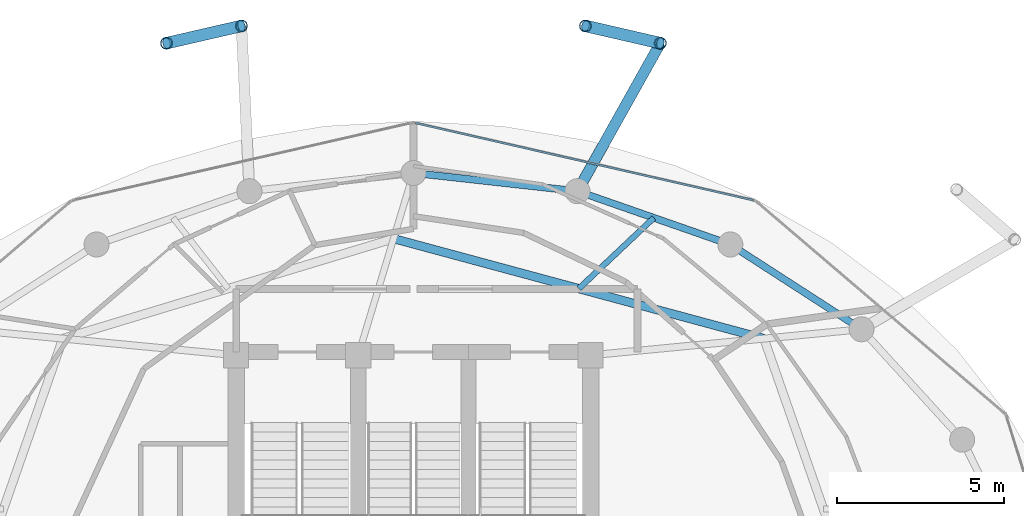
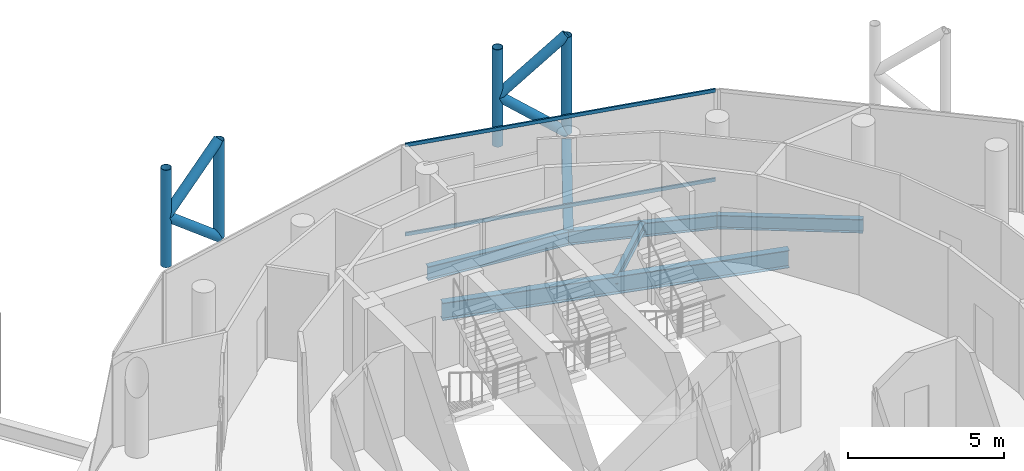
# One storey, part 17 of 24: 10 members, 6 beams, 1 element without a shape of its own.
"""IFC4 building model written with IfcOpenShell, lengths in metres."""

from ifc_helpers import new_model, si_unit, direction, frame, origin, origin_2d, place, context, subcontext, project, spatial, hollow_rectangle, hollow_circle, i_section, extrude, material, layer, layer_set, material_profile, profile_set, type_object, element, aggregate, save


model = new_model("IFC4")

# Units and contexts
model_context = context("Model", 3, precision=1e-05, world=origin(), true_north=direction((0.0, 1.0)))
body_context = subcontext(model_context, "Body", "Model", "MODEL_VIEW")
ifc_project = project(units=[si_unit("LENGTHUNIT", "METRE"), si_unit("AREAUNIT", "SQUARE_METRE"), si_unit("VOLUMEUNIT", "CUBIC_METRE"), si_unit("PLANEANGLEUNIT", "RADIAN"), si_unit("MASSUNIT", "GRAM", prefix="KILO")], contexts=[model_context])

# Site, building, storey
site_placement = place(None, origin())
site = spatial("IfcSite", under=ifc_project, at=site_placement, CompositionType="ELEMENT")
building_placement = place(site_placement, origin())
building = spatial("IfcBuilding", under=site, at=building_placement, Name="Nuhasar Tower", CompositionType="ELEMENT")
storey_placement = place(building_placement, frame((0.0, 0.0, 267.0)))
storey = spatial("IfcBuildingStorey", under=building, at=storey_placement, Name="L66", CompositionType="ELEMENT", Elevation=267.0)

# Beams
ifc_material_1 = material(Name="Steel S355", Category="steel")
ifc_material_profile_1 = material_profile(ifc_material_1, i_section(OverallWidth=0.25390625, OverallDepth=0.68408203125, WebThickness=0.012451171875, FlangeThickness=0.018798828125, at=origin_2d()), Name="W27X94")
ifc_profile_set_1 = profile_set([ifc_material_profile_1], Name="Steel S355")
beam_type_1 = type_object("IfcBeamType", Name="BM-INRING-W27X94", PredefinedType="BEAM", material=ifc_profile_set_1)
beam_1_placement = place(storey_placement, frame((49.48388671875, 37.798095703125, -0.60205078125), z_axis=(-0.965451835482, 0.260581567584, 0.0), x_axis=(-0.260581567584, -0.965451835482, 0.0)))
element("IfcBeam", 1, at=beam_1_placement, inside=storey, type_object=beam_type_1, Name="L66 Inner Header Beam 05", PredefinedType="BEAM", context=body_context, shape_type="SweptSolid", body=[
    extrude(i_section(OverallWidth=0.25390625, OverallDepth=0.68408203125, WebThickness=0.012451171875, FlangeThickness=0.018798828125, at=origin_2d()), origin(), (0.0, 0.0, 1.0), 11.474365234375),
])
ifc_material_profile_2 = material_profile(ifc_material_1, i_section(OverallWidth=0.1708984375, OverallDepth=0.35205078125, WebThickness=0.0068359375, FlangeThickness=0.009765625, at=origin_2d()), Name="W14X30")
ifc_profile_set_2 = profile_set([ifc_material_profile_2], Name="Steel S355")
beam_type_2 = type_object("IfcBeamType", Name="BM-JST-W14X30", PredefinedType="JOIST", material=ifc_profile_set_2)
beam_2_placement = place(storey_placement, frame((43.945068359375, 39.29296875, -0.43603515625), z_axis=(0.727532985224, 0.686072704173, 0.0), x_axis=(-0.686072704173, 0.727532985224, 0.0)))
element("IfcBeam", 2, at=beam_2_placement, inside=storey, type_object=beam_type_2, Name="L66 Secondary Floor Joist 05", PredefinedType="JOIST", context=body_context, shape_type="SweptSolid", body=[
    extrude(i_section(OverallWidth=0.1708984375, OverallDepth=0.35205078125, WebThickness=0.0068359375, FlangeThickness=0.009765625, at=origin_2d()), origin(), (0.0, 0.0, 1.0), 3.085693359375),
])
ifc_material_profile_3 = material_profile(ifc_material_1, i_section(OverallWidth=0.2099609375, OverallDepth=0.537109375, WebThickness=0.010986328125, FlangeThickness=0.017333984375, at=origin_2d()), Name="W21X68")
ifc_profile_set_3 = profile_set([ifc_material_profile_3], Name="Steel S355")
beam_type_3 = type_object("IfcBeamType", Name="BM-RING-W21X68", PredefinedType="SPANDREL", material=ifc_profile_set_3)
beam_3_placement = place(storey_placement, frame((52.39990234375, 38.077880859375, -0.529052734375), z_axis=(-0.840001671147, 0.54258381147, 0.0), x_axis=(-0.54258381147, -0.840001671147, 0.0)))
element("IfcBeam", 3, at=beam_3_placement, inside=storey, type_object=beam_type_3, Name="L66 Perimeter Ring Spandrel 04", PredefinedType="SPANDREL", context=body_context, shape_type="SweptSolid", body=[
    extrude(i_section(OverallWidth=0.2099609375, OverallDepth=0.537109375, WebThickness=0.010986328125, FlangeThickness=0.017333984375, at=origin_2d()), origin(), (0.0, 0.0, 1.0), 4.67236328125),
])
beam_4_placement = place(storey_placement, frame((48.47509765625, 40.613037109375, -0.529052734375), z_axis=(-0.944214043504, 0.329332415729, 0.0), x_axis=(-0.329332415729, -0.944214043504, 0.0)))
element("IfcBeam", 4, at=beam_4_placement, inside=storey, type_object=beam_type_3, Name="L66 Perimeter Ring Spandrel 05", PredefinedType="SPANDREL", context=body_context, shape_type="SweptSolid", body=[
    extrude(i_section(OverallWidth=0.2099609375, OverallDepth=0.537109375, WebThickness=0.010986328125, FlangeThickness=0.017333984375, at=origin_2d()), origin(), (0.0, 0.0, 1.0), 4.840087890625),
])
beam_5_placement = place(storey_placement, frame((43.905029296875, 42.20703125, -0.529052734375), z_axis=(-0.99392889943, 0.110024283128, 0.0), x_axis=(-0.110024283128, -0.99392889943, 0.0)))
element("IfcBeam", 5, at=beam_5_placement, inside=storey, type_object=beam_type_3, Name="L66 Perimeter Ring Spandrel 06", PredefinedType="SPANDREL", context=body_context, shape_type="SweptSolid", body=[
    extrude(i_section(OverallWidth=0.2099609375, OverallDepth=0.537109375, WebThickness=0.010986328125, FlangeThickness=0.017333984375, at=origin_2d()), origin(), (0.0, 0.0, 1.0), 4.93505859375),
])
ifc_material_profile_4 = material_profile(ifc_material_1, i_section(OverallWidth=0.323974609375, OverallDepth=0.611083984375, WebThickness=0.0126953125, FlangeThickness=0.01904296875, at=origin_2d()), Name="W24X104")
ifc_profile_set_4 = profile_set([ifc_material_profile_4], Name="Steel S355")
beam_type_4 = type_object("IfcBeamType", Name="BM-TIE-W24X104", PredefinedType="BEAM", material=ifc_profile_set_4)
beam_6_placement = place(storey_placement, frame((43.905029296875, 42.20703125, -0.56494140625), z_axis=(0.488667847762, 0.872469904675, 0.0), x_axis=(-0.872469904675, 0.488667847762, 0.0)))
element("IfcBeam", 6, at=beam_6_placement, inside=storey, type_object=beam_type_4, Name="L66 Exoskeleton Node Tie Beam 03", PredefinedType="BEAM", context=body_context, shape_type="SweptSolid", body=[
    extrude(i_section(OverallWidth=0.323974609375, OverallDepth=0.611083984375, WebThickness=0.0126953125, FlangeThickness=0.01904296875, at=origin_2d()), origin(), (0.0, 0.0, 1.0), 5.072998046875),
])

# Curtain wall, members
ifc_material_2 = material(Name="Aluminium 6063-T6", Category="aluminium")
ifc_layer = layer(ifc_material_2, 0.18994140625)
ifc_layer_set = layer_set([ifc_layer], Name="Aluminium 6063-T6")
curtain_wall_type = type_object("IfcCurtainWallType", Name="CW-Z4-PEN", PredefinedType="NOTDEFINED", material=ifc_layer_set)
curtain_wall_placement = place(storey_placement, origin())
curtain_wall = element("IfcCurtainWall", 7, at=curtain_wall_placement, inside=storey, type_object=curtain_wall_type, Name="L66 Unitised Curtain Wall 03", PredefinedType="NOTDEFINED")
ifc_material_profile_5 = material_profile(ifc_material_2, hollow_rectangle(XDim=0.06005859375, YDim=0.135009765625, WallThickness=0.00439453125, at=origin_2d()), Name="CWT-5")
ifc_profile_set_5 = profile_set([ifc_material_profile_5], Name="Aluminium 6063-T6")
member_type_1 = type_object("IfcMemberType", Name="CW-TRN-S5", PredefinedType="USERDEFINED", material=ifc_profile_set_5)
member_1_placement = place(storey_placement, frame((49.171630859375, 41.934326171875, 0.030029296875), z_axis=(-0.974843752401, 0.222889341163, 0.0), x_axis=(-0.222889341163, -0.974843752401, 0.0)))
member_1 = element("IfcMember", 8, at=member_1_placement, type_object=member_type_1, Name="CW-Z4 transom 1.1", ObjectType="TRANSOM", PredefinedType="USERDEFINED", context=body_context, shape_type="SweptSolid", body=[
    extrude(hollow_rectangle(XDim=0.06005859375, YDim=0.135009765625, WallThickness=0.00439453125, at=origin_2d()), origin(), (0.0, 0.0, 1.0), 10.3740234375),
])
member_2_placement = place(storey_placement, frame((49.171630859375, 41.934326171875, 3.510009765625), z_axis=(-0.974843752401, 0.222889341163, 0.0), x_axis=(-0.222889341163, -0.974843752401, 0.0)))
member_2 = element("IfcMember", 9, at=member_2_placement, type_object=member_type_1, Name="CW-Z4 transom 1.2", ObjectType="TRANSOM", PredefinedType="USERDEFINED", context=body_context, shape_type="SweptSolid", body=[
    extrude(hollow_rectangle(XDim=0.06005859375, YDim=0.135009765625, WallThickness=0.00439453125, at=origin_2d()), origin(), (0.0, 0.0, 1.0), 10.3740234375),
])
aggregate(curtain_wall, [member_1, member_2])

# Members
ifc_material_3 = material(Name="Steel S460", Category="steel")
ifc_material_profile_6 = material_profile(ifc_material_3, hollow_circle(Radius=0.177734375, WallThickness=0.015869140625, at=origin_2d()), Name="HSS355.6X15.9")
ifc_profile_set_6 = profile_set([ifc_material_profile_6], Name="Steel S460")
member_type_2 = type_object("IfcMemberType", Name="EXO-BRONZE-356", PredefinedType="BRACE", material=ifc_profile_set_6)
for number, where, z_axis, x_axis, name in (
    (10, (46.384033203125, 46.633056640625, 0.0), (0.0, 0.0, 1.0), (1.0, 0.0, 0.0), "L66 Exoskeleton Chord Column EC-03A"),
    (11, (44.14306640625, 47.14892578125, 0.0), (0.0, 0.0, 1.0), (1.0, 0.0, 0.0), "L66 Exoskeleton Chord Column EC-03B"),
    (12, (33.85693359375, 47.14892578125, 0.0), (0.0, 0.0, 1.0), (1.0, 0.0, 0.0), "L66 Exoskeleton Chord Column EC-04A"),
    (13, (31.615966796875, 46.633056640625, 0.0), (0.0, 0.0, 1.0), (1.0, 0.0, 0.0), "L66 Exoskeleton Chord Column EC-04B"),
):
    element("IfcMember", number, at=place(storey_placement, frame(where, z_axis=z_axis, x_axis=x_axis)), inside=storey, type_object=member_type_2, Name=name, PredefinedType="BRACE", context=body_context, shape_type="SweptSolid", body=[
        extrude(hollow_circle(Radius=0.177734375, WallThickness=0.015869140625, at=origin_2d()), origin(), (0.0, 0.0, 1.0), 3.800048828125),
    ])
member_3_placement = place(storey_placement, frame((46.384033203125, 46.633056640625, 0.0), z_axis=(-0.751271614502, 0.172942250947, 0.636931659663), x_axis=(-0.224332214284, -0.974512728308, 0.0)))
element("IfcMember", 14, at=member_3_placement, inside=storey, type_object=member_type_2, Name="L66 Bronze Diagrid Brace W1-03", PredefinedType="BRACE", context=body_context, shape_type="SweptSolid", body=[
    extrude(hollow_circle(Radius=0.177734375, WallThickness=0.015869140625, at=origin_2d()), origin(), (0.0, 0.0, 1.0), 2.98291015625),
])
member_4_placement = place(storey_placement, frame((44.14306640625, 47.14892578125, 1.89990234375), z_axis=(0.751232450652, -0.172933235454, 0.636980298881), x_axis=(0.224332214284, 0.974512728308, 0.0)))
element("IfcMember", 15, at=member_4_placement, inside=storey, type_object=member_type_2, Name="L66 Bronze Diagrid Brace W2-03", PredefinedType="BRACE", context=body_context, shape_type="SweptSolid", body=[
    extrude(hollow_circle(Radius=0.177734375, WallThickness=0.015869140625, at=origin_2d()), origin(), (0.0, 0.0, 1.0), 2.983154296875),
])
member_5_placement = place(storey_placement, frame((33.85693359375, 47.14892578125, 0.0), z_axis=(-0.751271614502, -0.172942250947, 0.636931659663), x_axis=(0.224332214284, -0.974512728308, 0.0)))
element("IfcMember", 16, at=member_5_placement, inside=storey, type_object=member_type_2, Name="L66 Bronze Diagrid Brace W1-04", PredefinedType="BRACE", context=body_context, shape_type="SweptSolid", body=[
    extrude(hollow_circle(Radius=0.177734375, WallThickness=0.015869140625, at=origin_2d()), origin(), (0.0, 0.0, 1.0), 2.98291015625),
])
member_6_placement = place(storey_placement, frame((31.615966796875, 46.633056640625, 1.89990234375), z_axis=(0.751232450652, 0.172933235454, 0.636980298881), x_axis=(-0.224332214284, 0.974512728308, 0.0)))
element("IfcMember", 17, at=member_6_placement, inside=storey, type_object=member_type_2, Name="L66 Bronze Diagrid Brace W2-04", PredefinedType="BRACE", context=body_context, shape_type="SweptSolid", body=[
    extrude(hollow_circle(Radius=0.177734375, WallThickness=0.015869140625, at=origin_2d()), origin(), (0.0, 0.0, 1.0), 2.983154296875),
])

save(model, "model.ifc")
